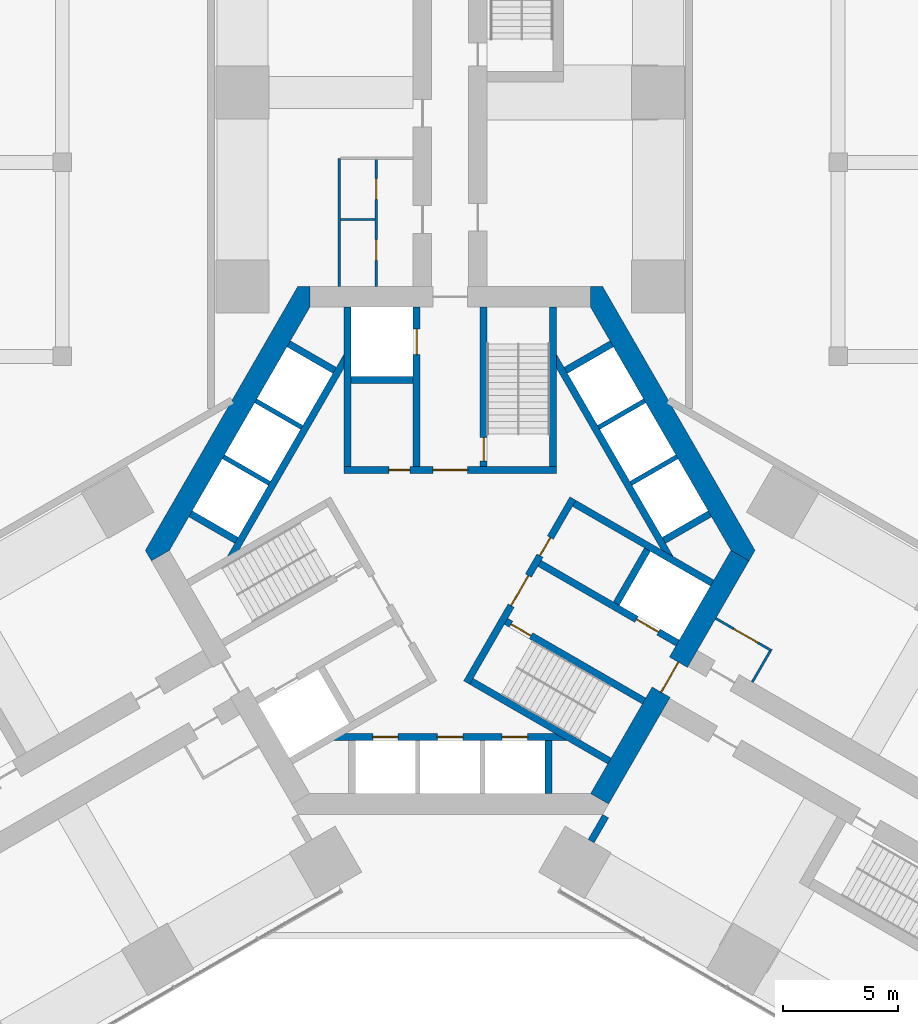
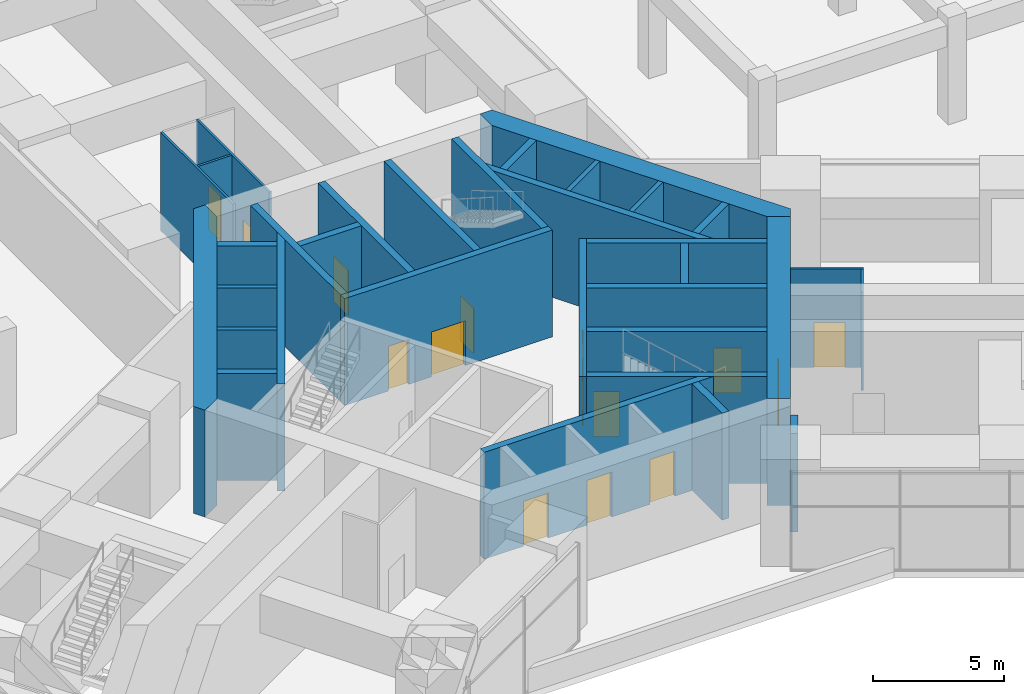
# One storey, part 28 of 33: 33 walls, 15 doors, 15 openings.
"""IFC4 building model written with IfcOpenShell, lengths in metres."""

from ifc_helpers import new_model, si_unit, direction, frame, frame_2d, origin, place, context, subcontext, project, spatial, polyline, rectangle, outline, extrude, material, layer, layer_set, type_object, element, fill, save


model = new_model("IFC4")

# Units and contexts
model_context = context("Model", 3, precision=1e-05, world=origin(), true_north=direction((0.0, 1.0)))
body_context = subcontext(model_context, "Body", "Model", "MODEL_VIEW")
ifc_project = project(units=[si_unit("LENGTHUNIT", "METRE"), si_unit("AREAUNIT", "SQUARE_METRE"), si_unit("VOLUMEUNIT", "CUBIC_METRE"), si_unit("PLANEANGLEUNIT", "RADIAN"), si_unit("MASSUNIT", "GRAM", prefix="KILO")], contexts=[model_context])

# Site, building, storey
site_placement = place(None, origin())
site = spatial("IfcSite", under=ifc_project, at=site_placement, CompositionType="ELEMENT")
building_placement = place(site_placement, origin())
building = spatial("IfcBuilding", under=site, at=building_placement, Name="Impinga Residences", CompositionType="ELEMENT")
storey_placement = place(building_placement, frame((0.0, 0.0, 21.0)))
storey = spatial("IfcBuildingStorey", under=building, at=storey_placement, Name="L04", CompositionType="ELEMENT", Elevation=21.0)

# Wall, opening, door
ifc_material_1 = material(Name="Concrete blockwork", Category="masonry")
ifc_layer_1 = layer(ifc_material_1, 0.10009765625)
ifc_layer_set_1 = layer_set([ifc_layer_1], Name="CP1 core room partition, blockwork 100")
wall_type_1 = type_object("IfcWallType", Name="CP1 core room partition, blockwork 100", PredefinedType="PARTITIONING", material=ifc_layer_set_1)
wall_1_placement = place(storey_placement, frame((11.5, -2.944580078125, 0.0), z_axis=(0.0, 0.0, 1.0), x_axis=(0.866034573852, -0.49998411664, 0.0)))
wall_1 = element("IfcWall", 1, at=wall_1_placement, inside=storey, type_object=wall_type_1, Name="Core room partition, blockwork L04-EA1:L1", PredefinedType="PARTITIONING", context=body_context, shape_type="SweptSolid", body=[
    extrude(rectangle(XDim=2.7998046875, YDim=0.10009765625, at=frame_2d((1.39990234375, 0.0))), origin(), (0.0, 0.0, 1.0), 4.60009765625),
])
opening_1_placement = place(wall_1_placement, frame((0.89990234375, 0.0, 0.0)))
opening_1 = element("IfcOpeningElement", 2, at=opening_1_placement, cuts=wall_1, Name="Opening D3", PredefinedType="OPENING", context=body_context, shape_type="SweptSolid", body=[
    extrude(rectangle(XDim=1.199951171875, YDim=2.10009765625, at=frame_2d((0.60009765625, 1.050048828125))), frame((0.0, 0.06005859375, 0.0), z_axis=(0.0, -1.0, 0.0), x_axis=(1.0, 0.0, 0.0)), (0.0, 0.0, 1.0), 0.1201171875),
])
ifc_material_2 = material(Name="Timber door set", Category="wood")
door_type_1 = type_object("IfcDoorType", Name="D3 room door, leaf and a half 1200x2100", OperationType="DOUBLE_SWING_LEFT", PredefinedType="DOOR", material=ifc_material_2)
door_1_placement = place(opening_1_placement, origin())
door_1 = element("IfcDoor", 3, at=door_1_placement, inside=storey, type_object=door_type_1, Name="Store door L04-EA1", OperationType="DOUBLE_SWING_LEFT", OverallHeight=2.10009765625, OverallWidth=1.199951171875, PredefinedType="DOOR", context=body_context, shape_type="SweptSolid", body=[
    extrude(rectangle(XDim=1.199951171875, YDim=2.10009765625, at=frame_2d((0.60009765625, 1.050048828125))), frame((0.0, 0.02490234375, 0.0), z_axis=(0.0, -1.0, 0.0), x_axis=(1.0, 0.0, 0.0)), (0.0, 0.0, 1.0), 0.050048828125),
])
fill(opening_1, door_1)

# Walls
wall_2_placement = place(storey_placement, frame((13.08154296875, -5.705078125, 0.0), z_axis=(0.0, 0.0, 1.0), x_axis=(0.500086022567, 0.865975732936, 0.0)))
element("IfcWall", 4, at=wall_2_placement, inside=storey, type_object=wall_type_1, Name="Core room partition, blockwork L04-EA1:L2", PredefinedType="PARTITIONING", context=body_context, shape_type="SweptSolid", body=[
    extrude(rectangle(XDim=1.550048828125, YDim=0.10009765625, at=frame_2d((0.77490234375, 0.0))), origin(), (0.0, 0.0, 1.0), 4.60009765625),
])
ifc_material_3 = material(Name="Stone facing on blockwork", Category="masonry")
ifc_layer_2 = layer(ifc_material_3, 0.300048828125)
ifc_layer_set_2 = layer_set([ifc_layer_2], Name="EW2 external wall, stone facing on blockwork 300")
wall_type_2 = type_object("IfcWallType", Name="EW2 external wall, stone facing on blockwork 300", PredefinedType="SOLIDWALL", material=ifc_layer_set_2)
wall_3_placement = place(storey_placement, frame((6.10498046875, -12.589111328125, 0.0), z_axis=(0.0, 0.0, 1.0), x_axis=(0.500004234368, 0.866022959057, 0.0)))
element("IfcWall", 5, at=wall_3_placement, inside=storey, type_object=wall_type_2, Name="External wall EW2 L04", PredefinedType="SOLIDWALL", context=body_context, shape_type="SweptSolid", body=[
    extrude(rectangle(XDim=1.25, YDim=0.300048828125, at=frame_2d((0.625, 0.0))), origin(), (0.0, 0.0, 1.0), 4.60009765625),
])

# Wall, openings, doors
ifc_material_4 = material(Name="Gypsum board on steel studs", Category="steel")
ifc_layer_3 = layer(ifc_material_4, 0.10009765625)
ifc_layer_set_3 = layer_set([ifc_layer_3], Name="Gypsum board on steel studs")
wall_type_3 = type_object("IfcWallType", Name="IP1 partition 100", PredefinedType="PARTITIONING", material=ifc_layer_set_3)
wall_4_placement = place(storey_placement, frame((-3.199951171875, 11.431640625, 0.0), z_axis=(0.0, 0.0, 1.0), x_axis=(0.0, 1.0, 0.0)))
wall_4 = element("IfcWall", 6, at=wall_4_placement, inside=storey, type_object=wall_type_3, Name="Partition L04-NA1:L1", PredefinedType="PARTITIONING", context=body_context, shape_type="SweptSolid", body=[
    extrude(rectangle(XDim=5.599853515625, YDim=0.10009765625, at=frame_2d((2.7998046875, 0.0))), origin(), (0.0, 0.0, 1.0), 4.60009765625),
])
opening_2_placement = place(wall_4_placement, frame((1.125, 0.0, 0.0)))
opening_2 = element("IfcOpeningElement", 7, at=opening_2_placement, cuts=wall_4, Name="Opening D2", PredefinedType="OPENING", context=body_context, shape_type="SweptSolid", body=[
    extrude(rectangle(XDim=0.89990234375, YDim=2.10009765625, at=frame_2d((0.449951171875, 1.050048828125))), frame((0.0, 0.06005859375, 0.0), z_axis=(0.0, -1.0, 0.0), x_axis=(1.0, 0.0, 0.0)), (0.0, 0.0, 1.0), 0.1201171875),
])
opening_3_placement = place(wall_4_placement, frame((3.77490234375, 0.0, 0.0)))
opening_3 = element("IfcOpeningElement", 8, at=opening_3_placement, cuts=wall_4, Name="Opening D2", PredefinedType="OPENING", context=body_context, shape_type="SweptSolid", body=[
    extrude(rectangle(XDim=0.89990234375, YDim=2.10009765625, at=frame_2d((0.449951171875, 1.050048828125))), frame((0.0, 0.06005859375, 0.0), z_axis=(0.0, -1.0, 0.0), x_axis=(1.0, 0.0, 0.0)), (0.0, 0.0, 1.0), 0.1201171875),
])
door_type_2 = type_object("IfcDoorType", Name="D2 internal door 900x2100", OperationType="SINGLE_SWING_LEFT", PredefinedType="DOOR", material=ifc_material_2)
door_2_placement = place(opening_2_placement, origin())
door_2 = element("IfcDoor", 9, at=door_2_placement, inside=storey, type_object=door_type_2, Name="WC door L04-NA1", OperationType="SINGLE_SWING_LEFT", OverallHeight=2.10009765625, OverallWidth=0.89990234375, PredefinedType="DOOR", context=body_context, shape_type="SweptSolid", body=[
    extrude(rectangle(XDim=0.89990234375, YDim=2.10009765625, at=frame_2d((0.449951171875, 1.050048828125))), frame((0.0, 0.02490234375, 0.0), z_axis=(0.0, -1.0, 0.0), x_axis=(1.0, 0.0, 0.0)), (0.0, 0.0, 1.0), 0.050048828125),
])
fill(opening_2, door_2)
door_3_placement = place(opening_3_placement, origin())
door_3 = element("IfcDoor", 10, at=door_3_placement, inside=storey, type_object=door_type_2, Name="Accessible WC door L04-NA1", OperationType="SINGLE_SWING_RIGHT", OverallHeight=2.10009765625, OverallWidth=0.89990234375, PredefinedType="DOOR", context=body_context, shape_type="SweptSolid", body=[
    extrude(rectangle(XDim=0.89990234375, YDim=2.10009765625, at=frame_2d((0.449951171875, 1.050048828125))), frame((0.0, 0.02490234375, 0.0), z_axis=(0.0, -1.0, 0.0), x_axis=(1.0, 0.0, 0.0)), (0.0, 0.0, 1.0), 0.050048828125),
])
fill(opening_3, door_3)

# Walls
wall_5_placement = place(storey_placement, frame((-3.25, 14.33154296875, 0.0), z_axis=(0.0, 0.0, 1.0), x_axis=(-1.0, 0.0, 0.0)))
element("IfcWall", 11, at=wall_5_placement, inside=storey, type_object=wall_type_3, Name="Partition L04-NA1:T1", PredefinedType="PARTITIONING", context=body_context, shape_type="SweptSolid", body=[
    extrude(rectangle(XDim=1.5, YDim=0.10009765625, at=frame_2d((0.75, 0.0))), origin(), (0.0, 0.0, 1.0), 4.60009765625),
])
wall_6_placement = place(storey_placement, frame((-4.800048828125, 11.431640625, 0.0), z_axis=(0.0, 0.0, 1.0), x_axis=(0.0, 1.0, 0.0)))
element("IfcWall", 12, at=wall_6_placement, inside=storey, type_object=wall_type_3, Name="Partition L04-NA1:T2", PredefinedType="PARTITIONING", context=body_context, shape_type="SweptSolid", body=[
    extrude(rectangle(XDim=5.5498046875, YDim=0.10009765625, at=frame_2d((2.77490234375, 0.0))), origin(), (0.0, 0.0, 1.0), 4.60009765625),
])

# Wall, opening, door
ifc_material_5 = material(Name="Concrete C70/85", Category="concrete")
ifc_layer_4 = layer(ifc_material_5, 0.89990234375)
ifc_layer_set_4 = layer_set([ifc_layer_4], Name="Concrete C70/85")
wall_type_4 = type_object("IfcWallType", Name="SW1 core wall 900", PredefinedType="SHEAR", material=ifc_layer_set_4)
wall_7_placement = place(storey_placement, frame((12.550537109375, -0.22509765625, 0.0), z_axis=(0.0, 0.0, 1.0), x_axis=(-0.499997612506, -0.8660267822, 0.0)))
wall_7 = element("IfcWall", 13, at=wall_7_placement, inside=storey, type_object=wall_type_4, Name="Core wall SW1 E:FACE L04", PredefinedType="SHEAR", context=body_context, shape_type="SweptSolid", body=[
    extrude(rectangle(XDim=12.16064453125, YDim=0.89990234375, at=frame_2d((6.080322265625, 0.0))), origin(), (0.0, 0.0, 1.0), 5.0),
])
opening_4_placement = place(wall_7_placement, frame((5.330322265625, 0.0, 0.0)))
opening_4 = element("IfcOpeningElement", 14, at=opening_4_placement, cuts=wall_7, Name="Opening D4", PredefinedType="OPENING", context=body_context, shape_type="SweptSolid", body=[
    extrude(rectangle(XDim=1.5, YDim=2.10009765625, at=frame_2d((0.75, 1.050048828125))), frame((0.0, 0.4599609375, 0.0), z_axis=(0.0, -1.0, 0.0), x_axis=(1.0, 0.0, 0.0)), (0.0, 0.0, 1.0), 0.919921875),
])
door_type_3 = type_object("IfcDoorType", Name="D4 lobby door pair 1500x2100", OperationType="DOUBLE_DOOR_DOUBLE_SWING", PredefinedType="DOOR", material=ifc_material_2)
door_4_placement = place(opening_4_placement, origin())
door_4 = element("IfcDoor", 15, at=door_4_placement, inside=storey, type_object=door_type_3, Name="Lobby door E", OperationType="DOUBLE_DOOR_DOUBLE_SWING", OverallHeight=2.10009765625, OverallWidth=1.5, PredefinedType="DOOR", context=body_context, shape_type="SweptSolid", body=[
    extrude(rectangle(XDim=1.5, YDim=2.10009765625, at=frame_2d((0.75, 1.050048828125))), frame((0.0, 0.02490234375, 0.0), z_axis=(0.0, -1.0, 0.0), x_axis=(1.0, 0.0, 0.0)), (0.0, 0.0, 1.0), 0.050048828125),
])
fill(opening_4, door_4)

# Walls
wall_8_placement = place(storey_placement, origin())
element("IfcWall", 16, at=wall_8_placement, inside=storey, type_object=wall_type_4, Name="Core wall SW1 W:EXPOSED L04", PredefinedType="SHEAR", context=body_context, shape_type="SweptSolid", body=[
    extrude(outline(polyline([(13.199951171875, 0.0), (6.60009765625, 11.431640625), (6.080322265625, 11.431640625), (6.080322265625, 10.531494140625), (12.160888671875, 0.0), (12.940185546875, -0.449951171875), (13.199951171875, 0.0)])), origin(), (0.0, 0.0, 1.0), 5.0),
])
wall_9_placement = place(storey_placement, origin())
element("IfcWall", 17, at=wall_9_placement, inside=storey, type_object=wall_type_4, Name="Core wall SW1 E:EXPOSED L04", PredefinedType="SHEAR", context=body_context, shape_type="SweptSolid", body=[
    extrude(outline(polyline([(-6.60009765625, 11.431640625), (-13.199951171875, 0.0), (-12.940185546875, -0.449951171875), (-12.160888671875, 0.0), (-6.080322265625, 10.531494140625), (-6.080322265625, 11.431640625), (-6.60009765625, 11.431640625)])), origin(), (0.0, 0.0, 1.0), 5.0),
])

# Wall, openings, doors
ifc_layer_5 = layer(ifc_material_5, 0.300048828125)
ifc_layer_set_5 = layer_set([ifc_layer_5], Name="Concrete C70/85")
wall_type_5 = type_object("IfcWallType", Name="SW5 core inner wall, stairs, shafts and lobbies 300", PredefinedType="SHEAR", material=ifc_layer_set_5)
wall_10_placement = place(storey_placement, frame((-4.60009765625, 3.47998046875, 0.0), z_axis=(0.0, 0.0, 1.0), x_axis=(1.0, 0.0, 0.0)))
wall_10 = element("IfcWall", 18, at=wall_10_placement, inside=storey, type_object=wall_type_5, Name="Core wall SW5 N:ZONE L04", PredefinedType="SHEAR", context=body_context, shape_type="SweptSolid", body=[
    extrude(rectangle(XDim=9.2001953125, YDim=0.300048828125, at=frame_2d((4.60009765625, 0.0))), origin(), (0.0, 0.0, 1.0), 5.0),
])
opening_5_placement = place(wall_10_placement, frame((3.85009765625, 0.0, 0.0)))
opening_5 = element("IfcOpeningElement", 19, at=opening_5_placement, cuts=wall_10, Name="Opening D4", PredefinedType="OPENING", context=body_context, shape_type="SweptSolid", body=[
    extrude(rectangle(XDim=1.5, YDim=2.10009765625, at=frame_2d((0.75, 1.050048828125))), frame((0.0, 0.159912109375, 0.0), z_axis=(0.0, -1.0, 0.0), x_axis=(1.0, 0.0, 0.0)), (0.0, 0.0, 1.0), 0.320068359375),
])
opening_6_placement = place(wall_10_placement, frame((1.949951171875, 0.0, 0.0)))
opening_6 = element("IfcOpeningElement", 20, at=opening_6_placement, cuts=wall_10, Name="Opening D6", PredefinedType="OPENING", context=body_context, shape_type="SweptSolid", body=[
    extrude(rectangle(XDim=0.89990234375, YDim=2.10009765625, at=frame_2d((0.449951171875, 1.050048828125))), frame((0.0, 0.159912109375, 0.0), z_axis=(0.0, -1.0, 0.0), x_axis=(1.0, 0.0, 0.0)), (0.0, 0.0, 1.0), 0.320068359375),
])
door_5_placement = place(opening_5_placement, origin())
door_5 = element("IfcDoor", 21, at=door_5_placement, inside=storey, type_object=door_type_3, Name="Firefighting lobby door N", OperationType="DOUBLE_DOOR_DOUBLE_SWING", OverallHeight=2.10009765625, OverallWidth=1.5, PredefinedType="DOOR", context=body_context, shape_type="SweptSolid", body=[
    extrude(rectangle(XDim=1.5, YDim=2.10009765625, at=frame_2d((0.75, 1.050048828125))), frame((0.0, 0.02490234375, 0.0), z_axis=(0.0, -1.0, 0.0), x_axis=(1.0, 0.0, 0.0)), (0.0, 0.0, 1.0), 0.050048828125),
])
fill(opening_5, door_5)
door_type_4 = type_object("IfcDoorType", Name="D6 riser and store door 900x2100", OperationType="SINGLE_SWING_LEFT", PredefinedType="DOOR", material=ifc_material_2)
door_6_placement = place(opening_6_placement, origin())
door_6 = element("IfcDoor", 22, at=door_6_placement, inside=storey, type_object=door_type_4, Name="Riser door N", OperationType="SINGLE_SWING_LEFT", OverallHeight=2.10009765625, OverallWidth=0.89990234375, PredefinedType="DOOR", context=body_context, shape_type="SweptSolid", body=[
    extrude(rectangle(XDim=0.89990234375, YDim=2.10009765625, at=frame_2d((0.449951171875, 1.050048828125))), frame((0.0, 0.02490234375, 0.0), z_axis=(0.0, -1.0, 0.0), x_axis=(1.0, 0.0, 0.0)), (0.0, 0.0, 1.0), 0.050048828125),
])
fill(opening_6, door_6)

# Wall, opening, door
wall_11_placement = place(storey_placement, frame((1.449951171875, 3.6298828125, 0.0), z_axis=(0.0, 0.0, 1.0), x_axis=(0.0, 1.0, 0.0)))
wall_11 = element("IfcWall", 23, at=wall_11_placement, inside=storey, type_object=wall_type_5, Name="Core wall SW5 N:ST-IN L04", PredefinedType="SHEAR", context=body_context, shape_type="SweptSolid", body=[
    extrude(rectangle(XDim=6.901611328125, YDim=0.300048828125, at=frame_2d((3.45068359375, 0.0))), origin(), (0.0, 0.0, 1.0), 5.0),
])
opening_7_placement = place(wall_11_placement, frame((0.25, 0.0, 0.0)))
opening_7 = element("IfcOpeningElement", 24, at=opening_7_placement, cuts=wall_11, Name="Opening D5", PredefinedType="OPENING", context=body_context, shape_type="SweptSolid", body=[
    extrude(rectangle(XDim=1.0, YDim=2.10009765625, at=frame_2d((0.5, 1.050048828125))), frame((0.0, 0.159912109375, 0.0), z_axis=(0.0, -1.0, 0.0), x_axis=(1.0, 0.0, 0.0)), (0.0, 0.0, 1.0), 0.320068359375),
])
door_type_5 = type_object("IfcDoorType", Name="D5 stair door 1000x2100", OperationType="SINGLE_SWING_LEFT", PredefinedType="DOOR", material=ifc_material_2)
door_7_placement = place(opening_7_placement, origin())
door_7 = element("IfcDoor", 25, at=door_7_placement, inside=storey, type_object=door_type_5, Name="Stair door N", OperationType="SINGLE_SWING_LEFT", OverallHeight=2.10009765625, OverallWidth=1.0, PredefinedType="DOOR", context=body_context, shape_type="SweptSolid", body=[
    extrude(rectangle(XDim=1.0, YDim=2.10009765625, at=frame_2d((0.5, 1.050048828125))), frame((0.0, 0.02490234375, 0.0), z_axis=(0.0, -1.0, 0.0), x_axis=(1.0, 0.0, 0.0)), (0.0, 0.0, 1.0), 0.050048828125),
])
fill(opening_7, door_7)

# Wall
wall_12_placement = place(storey_placement, frame((4.449951171875, 3.6298828125, 0.0), z_axis=(0.0, 0.0, 1.0), x_axis=(0.0, 1.0, 0.0)))
element("IfcWall", 26, at=wall_12_placement, inside=storey, type_object=wall_type_5, Name="Core wall SW5 N:ST-OUT L04", PredefinedType="SHEAR", context=body_context, shape_type="SweptSolid", body=[
    extrude(rectangle(XDim=6.901611328125, YDim=0.300048828125, at=frame_2d((3.45068359375, 0.0))), origin(), (0.0, 0.0, 1.0), 5.0),
])

# Wall, opening, door
wall_13_placement = place(storey_placement, frame((-1.449951171875, 3.6298828125, 0.0), z_axis=(0.0, 0.0, 1.0), x_axis=(0.0, 1.0, 0.0)))
wall_13 = element("IfcWall", 27, at=wall_13_placement, inside=storey, type_object=wall_type_5, Name="Core wall SW5 N:FF-IN L04", PredefinedType="SHEAR", context=body_context, shape_type="SweptSolid", body=[
    extrude(rectangle(XDim=6.901611328125, YDim=0.300048828125, at=frame_2d((3.45068359375, 0.0))), origin(), (0.0, 0.0, 1.0), 5.0),
])
opening_8_placement = place(wall_13_placement, frame((4.85009765625, 0.0, 0.0)))
opening_8 = element("IfcOpeningElement", 28, at=opening_8_placement, cuts=wall_13, Name="Opening LD2", PredefinedType="OPENING", context=body_context, shape_type="SweptSolid", body=[
    extrude(rectangle(XDim=1.10009765625, YDim=2.10009765625, at=frame_2d((0.550048828125, 1.050048828125))), frame((0.0, 0.159912109375, 0.0), z_axis=(0.0, -1.0, 0.0), x_axis=(1.0, 0.0, 0.0)), (0.0, 0.0, 1.0), 0.320068359375),
])
ifc_material_6 = material(Name="Steel lift landing door", Category="steel")
door_type_6 = type_object("IfcDoorType", Name="LD2 firefighting lift landing door 1100x2100", OperationType="DOUBLE_DOOR_SLIDING", PredefinedType="DOOR", material=ifc_material_6)
door_8_placement = place(opening_8_placement, origin())
door_8 = element("IfcDoor", 29, at=door_8_placement, inside=storey, type_object=door_type_6, Name="Firefighting lift landing door F1", OperationType="DOUBLE_DOOR_SLIDING", OverallHeight=2.10009765625, OverallWidth=1.10009765625, PredefinedType="DOOR", context=body_context, shape_type="SweptSolid", body=[
    extrude(rectangle(XDim=1.10009765625, YDim=2.10009765625, at=frame_2d((0.550048828125, 1.050048828125))), frame((0.0, 0.02490234375, 0.0), z_axis=(0.0, -1.0, 0.0), x_axis=(1.0, 0.0, 0.0)), (0.0, 0.0, 1.0), 0.050048828125),
])
fill(opening_8, door_8)

# Walls
wall_14_placement = place(storey_placement, frame((-4.449951171875, 3.6298828125, 0.0), z_axis=(0.0, 0.0, 1.0), x_axis=(0.0, 1.0, 0.0)))
element("IfcWall", 30, at=wall_14_placement, inside=storey, type_object=wall_type_5, Name="Core wall SW5 N:FF-OUT L04", PredefinedType="SHEAR", context=body_context, shape_type="SweptSolid", body=[
    extrude(rectangle(XDim=6.901611328125, YDim=0.300048828125, at=frame_2d((3.45068359375, 0.0))), origin(), (0.0, 0.0, 1.0), 5.0),
])
wall_15_placement = place(storey_placement, frame((-4.300048828125, 7.3798828125, 0.0), z_axis=(0.0, 0.0, 1.0), x_axis=(1.0, 0.0, 0.0)))
element("IfcWall", 31, at=wall_15_placement, inside=storey, type_object=wall_type_5, Name="Core wall SW5 N:FF-RS L04", PredefinedType="SHEAR", context=body_context, shape_type="SweptSolid", body=[
    extrude(rectangle(XDim=2.699951171875, YDim=0.300048828125, at=frame_2d((1.35009765625, 0.0))), origin(), (0.0, 0.0, 1.0), 5.0),
])

# Wall, openings, doors
wall_16_placement = place(storey_placement, frame((5.313720703125, 2.24365234375, 0.0), z_axis=(0.0, 0.0, 1.0), x_axis=(-0.499995050369, -0.866028261437, 0.0)))
wall_16 = element("IfcWall", 32, at=wall_16_placement, inside=storey, type_object=wall_type_5, Name="Core wall SW5 E:ZONE L04", PredefinedType="SHEAR", context=body_context, shape_type="SweptSolid", body=[
    extrude(rectangle(XDim=9.19970703125, YDim=0.300048828125, at=frame_2d((4.599853515625, 0.0))), origin(), (0.0, 0.0, 1.0), 5.0),
])
opening_9_placement = place(wall_16_placement, frame((3.85009765625, 0.0, 0.0)))
opening_9 = element("IfcOpeningElement", 33, at=opening_9_placement, cuts=wall_16, Name="Opening D4", PredefinedType="OPENING", context=body_context, shape_type="SweptSolid", body=[
    extrude(rectangle(XDim=1.5, YDim=2.10009765625, at=frame_2d((0.75, 1.050048828125))), frame((0.0, 0.159912109375, 0.0), z_axis=(0.0, -1.0, 0.0), x_axis=(1.0, 0.0, 0.0)), (0.0, 0.0, 1.0), 0.320068359375),
])
opening_10_placement = place(wall_16_placement, frame((1.949951171875, 0.0, 0.0)))
opening_10 = element("IfcOpeningElement", 34, at=opening_10_placement, cuts=wall_16, Name="Opening D6", PredefinedType="OPENING", context=body_context, shape_type="SweptSolid", body=[
    extrude(rectangle(XDim=0.89990234375, YDim=2.10009765625, at=frame_2d((0.449951171875, 1.050048828125))), frame((0.0, 0.159912109375, 0.0), z_axis=(0.0, -1.0, 0.0), x_axis=(1.0, 0.0, 0.0)), (0.0, 0.0, 1.0), 0.320068359375),
])
door_9_placement = place(opening_9_placement, origin())
door_9 = element("IfcDoor", 35, at=door_9_placement, inside=storey, type_object=door_type_3, Name="Firefighting lobby door E", OperationType="DOUBLE_DOOR_DOUBLE_SWING", OverallHeight=2.10009765625, OverallWidth=1.5, PredefinedType="DOOR", context=body_context, shape_type="SweptSolid", body=[
    extrude(rectangle(XDim=1.5, YDim=2.10009765625, at=frame_2d((0.75, 1.050048828125))), frame((0.0, 0.02490234375, 0.0), z_axis=(0.0, -1.0, 0.0), x_axis=(1.0, 0.0, 0.0)), (0.0, 0.0, 1.0), 0.050048828125),
])
fill(opening_9, door_9)
door_10_placement = place(opening_10_placement, origin())
door_10 = element("IfcDoor", 36, at=door_10_placement, inside=storey, type_object=door_type_4, Name="Riser door E", OperationType="SINGLE_SWING_LEFT", OverallHeight=2.10009765625, OverallWidth=0.89990234375, PredefinedType="DOOR", context=body_context, shape_type="SweptSolid", body=[
    extrude(rectangle(XDim=0.89990234375, YDim=2.10009765625, at=frame_2d((0.449951171875, 1.050048828125))), frame((0.0, 0.02490234375, 0.0), z_axis=(0.0, -1.0, 0.0), x_axis=(1.0, 0.0, 0.0)), (0.0, 0.0, 1.0), 0.050048828125),
])
fill(opening_10, door_10)

# Wall, opening, door
wall_17_placement = place(storey_placement, frame((2.418701171875, -3.07080078125, 0.0), z_axis=(0.0, 0.0, 1.0), x_axis=(0.86602711848, -0.499997030048, 0.0)))
wall_17 = element("IfcWall", 37, at=wall_17_placement, inside=storey, type_object=wall_type_5, Name="Core wall SW5 E:ST-IN L04", PredefinedType="SHEAR", context=body_context, shape_type="SweptSolid", body=[
    extrude(rectangle(XDim=6.9013671875, YDim=0.300048828125, at=frame_2d((3.45068359375, 0.0))), origin(), (0.0, 0.0, 1.0), 5.0),
])
opening_11_placement = place(wall_17_placement, frame((0.25, 0.0, 0.0)))
opening_11 = element("IfcOpeningElement", 38, at=opening_11_placement, cuts=wall_17, Name="Opening D5", PredefinedType="OPENING", context=body_context, shape_type="SweptSolid", body=[
    extrude(rectangle(XDim=1.0, YDim=2.10009765625, at=frame_2d((0.5, 1.050048828125))), frame((0.0, 0.159912109375, 0.0), z_axis=(0.0, -1.0, 0.0), x_axis=(1.0, 0.0, 0.0)), (0.0, 0.0, 1.0), 0.320068359375),
])
door_11_placement = place(opening_11_placement, origin())
door_11 = element("IfcDoor", 39, at=door_11_placement, inside=storey, type_object=door_type_5, Name="Stair door E", OperationType="SINGLE_SWING_LEFT", OverallHeight=2.10009765625, OverallWidth=1.0, PredefinedType="DOOR", context=body_context, shape_type="SweptSolid", body=[
    extrude(rectangle(XDim=1.0, YDim=2.10009765625, at=frame_2d((0.5, 1.050048828125))), frame((0.0, 0.02490234375, 0.0), z_axis=(0.0, -1.0, 0.0), x_axis=(1.0, 0.0, 0.0)), (0.0, 0.0, 1.0), 0.050048828125),
])
fill(opening_11, door_11)

# Wall
wall_18_placement = place(storey_placement, frame((0.918701171875, -5.668701171875, 0.0), z_axis=(0.0, 0.0, 1.0), x_axis=(0.866011800373, -0.500023561059, 0.0)))
element("IfcWall", 40, at=wall_18_placement, inside=storey, type_object=wall_type_5, Name="Core wall SW5 E:ST-OUT L04", PredefinedType="SHEAR", context=body_context, shape_type="SweptSolid", body=[
    extrude(rectangle(XDim=6.901611328125, YDim=0.300048828125, at=frame_2d((3.45068359375, 0.0))), origin(), (0.0, 0.0, 1.0), 5.0),
])

# Wall, opening, door
wall_19_placement = place(storey_placement, frame((3.86865234375, -0.559326171875, 0.0), z_axis=(0.0, 0.0, 1.0), x_axis=(0.86602711848, -0.499997030048, 0.0)))
wall_19 = element("IfcWall", 41, at=wall_19_placement, inside=storey, type_object=wall_type_5, Name="Core wall SW5 E:FF-IN L04", PredefinedType="SHEAR", context=body_context, shape_type="SweptSolid", body=[
    extrude(rectangle(XDim=6.9013671875, YDim=0.300048828125, at=frame_2d((3.45068359375, 0.0))), origin(), (0.0, 0.0, 1.0), 5.0),
])
opening_12_placement = place(wall_19_placement, frame((4.85009765625, 0.0, 0.0)))
opening_12 = element("IfcOpeningElement", 42, at=opening_12_placement, cuts=wall_19, Name="Opening LD2", PredefinedType="OPENING", context=body_context, shape_type="SweptSolid", body=[
    extrude(rectangle(XDim=1.10009765625, YDim=2.10009765625, at=frame_2d((0.550048828125, 1.050048828125))), frame((0.0, 0.159912109375, 0.0), z_axis=(0.0, -1.0, 0.0), x_axis=(1.0, 0.0, 0.0)), (0.0, 0.0, 1.0), 0.320068359375),
])
door_12_placement = place(opening_12_placement, origin())
door_12 = element("IfcDoor", 43, at=door_12_placement, inside=storey, type_object=door_type_6, Name="Firefighting lift landing door F3", OperationType="DOUBLE_DOOR_SLIDING", OverallHeight=2.10009765625, OverallWidth=1.10009765625, PredefinedType="DOOR", context=body_context, shape_type="SweptSolid", body=[
    extrude(rectangle(XDim=1.10009765625, YDim=2.10009765625, at=frame_2d((0.550048828125, 1.050048828125))), frame((0.0, 0.02490234375, 0.0), z_axis=(0.0, -1.0, 0.0), x_axis=(1.0, 0.0, 0.0)), (0.0, 0.0, 1.0), 0.050048828125),
])
fill(opening_12, door_12)

# Walls
wall_20_placement = place(storey_placement, frame((5.36865234375, 2.038818359375, 0.0), z_axis=(0.0, 0.0, 1.0), x_axis=(0.86602711848, -0.499997030048, 0.0)))
element("IfcWall", 44, at=wall_20_placement, inside=storey, type_object=wall_type_5, Name="Core wall SW5 E:FF-OUT L04", PredefinedType="SHEAR", context=body_context, shape_type="SweptSolid", body=[
    extrude(rectangle(XDim=6.9013671875, YDim=0.300048828125, at=frame_2d((3.45068359375, 0.0))), origin(), (0.0, 0.0, 1.0), 5.0),
])
wall_21_placement = place(storey_placement, frame((8.541259765625, 0.033935546875, 0.0), z_axis=(0.0, 0.0, 1.0), x_axis=(-0.50000943426, -0.866019956843, 0.0)))
element("IfcWall", 45, at=wall_21_placement, inside=storey, type_object=wall_type_5, Name="Core wall SW5 E:FF-RS L04", PredefinedType="SHEAR", context=body_context, shape_type="SweptSolid", body=[
    extrude(rectangle(XDim=2.7001953125, YDim=0.300048828125, at=frame_2d((1.35009765625, 0.0))), origin(), (0.0, 0.0, 1.0), 5.0),
])

# Wall, openings, doors
wall_22_placement = place(storey_placement, frame((5.09765625, -8.08154296875, 0.0), z_axis=(0.0, 0.0, 1.0), x_axis=(-1.0, 0.0, 0.0)))
wall_22 = element("IfcWall", 46, at=wall_22_placement, inside=storey, type_object=wall_type_5, Name="Core wall SW5 N:BANK-FRONT L04", PredefinedType="SHEAR", context=body_context, shape_type="SweptSolid", body=[
    extrude(rectangle(XDim=10.1953125, YDim=0.300048828125, at=frame_2d((5.09765625, 0.0))), origin(), (0.0, 0.0, 1.0), 5.0),
])
opening_13_placement = place(wall_22_placement, frame((1.74755859375, 0.0, 0.0)))
opening_13 = element("IfcOpeningElement", 47, at=opening_13_placement, cuts=wall_22, Name="Opening LD1", PredefinedType="OPENING", context=body_context, shape_type="SweptSolid", body=[
    extrude(rectangle(XDim=1.10009765625, YDim=2.10009765625, at=frame_2d((0.550048828125, 1.050048828125))), frame((0.0, 0.159912109375, 0.0), z_axis=(0.0, -1.0, 0.0), x_axis=(1.0, 0.0, 0.0)), (0.0, 0.0, 1.0), 0.320068359375),
])
opening_14_placement = place(wall_22_placement, frame((4.547607421875, 0.0, 0.0)))
opening_14 = element("IfcOpeningElement", 48, at=opening_14_placement, cuts=wall_22, Name="Opening LD1", PredefinedType="OPENING", context=body_context, shape_type="SweptSolid", body=[
    extrude(rectangle(XDim=1.10009765625, YDim=2.10009765625, at=frame_2d((0.550048828125, 1.050048828125))), frame((0.0, 0.159912109375, 0.0), z_axis=(0.0, -1.0, 0.0), x_axis=(1.0, 0.0, 0.0)), (0.0, 0.0, 1.0), 0.320068359375),
])
opening_15_placement = place(wall_22_placement, frame((7.34765625, 0.0, 0.0)))
opening_15 = element("IfcOpeningElement", 49, at=opening_15_placement, cuts=wall_22, Name="Opening LD1", PredefinedType="OPENING", context=body_context, shape_type="SweptSolid", body=[
    extrude(rectangle(XDim=1.10009765625, YDim=2.10009765625, at=frame_2d((0.550048828125, 1.050048828125))), frame((0.0, 0.159912109375, 0.0), z_axis=(0.0, -1.0, 0.0), x_axis=(1.0, 0.0, 0.0)), (0.0, 0.0, 1.0), 0.320068359375),
])
door_type_7 = type_object("IfcDoorType", Name="LD1 passenger lift landing door 1100x2100", OperationType="DOUBLE_DOOR_SLIDING", PredefinedType="DOOR", material=ifc_material_6)
door_13_placement = place(opening_13_placement, origin())
door_13 = element("IfcDoor", 50, at=door_13_placement, inside=storey, type_object=door_type_7, Name="Lift landing door P1", OperationType="DOUBLE_DOOR_SLIDING", OverallHeight=2.10009765625, OverallWidth=1.10009765625, PredefinedType="DOOR", context=body_context, shape_type="SweptSolid", body=[
    extrude(rectangle(XDim=1.10009765625, YDim=2.10009765625, at=frame_2d((0.550048828125, 1.050048828125))), frame((0.0, 0.02490234375, 0.0), z_axis=(0.0, -1.0, 0.0), x_axis=(1.0, 0.0, 0.0)), (0.0, 0.0, 1.0), 0.050048828125),
])
fill(opening_13, door_13)
door_14_placement = place(opening_14_placement, origin())
door_14 = element("IfcDoor", 51, at=door_14_placement, inside=storey, type_object=door_type_7, Name="Lift landing door P2", OperationType="DOUBLE_DOOR_SLIDING", OverallHeight=2.10009765625, OverallWidth=1.10009765625, PredefinedType="DOOR", context=body_context, shape_type="SweptSolid", body=[
    extrude(rectangle(XDim=1.10009765625, YDim=2.10009765625, at=frame_2d((0.550048828125, 1.050048828125))), frame((0.0, 0.02490234375, 0.0), z_axis=(0.0, -1.0, 0.0), x_axis=(1.0, 0.0, 0.0)), (0.0, 0.0, 1.0), 0.050048828125),
])
fill(opening_14, door_14)
door_15_placement = place(opening_15_placement, origin())
door_15 = element("IfcDoor", 52, at=door_15_placement, inside=storey, type_object=door_type_7, Name="Lift landing door P3", OperationType="DOUBLE_DOOR_SLIDING", OverallHeight=2.10009765625, OverallWidth=1.10009765625, PredefinedType="DOOR", context=body_context, shape_type="SweptSolid", body=[
    extrude(rectangle(XDim=1.10009765625, YDim=2.10009765625, at=frame_2d((0.550048828125, 1.050048828125))), frame((0.0, 0.02490234375, 0.0), z_axis=(0.0, -1.0, 0.0), x_axis=(1.0, 0.0, 0.0)), (0.0, 0.0, 1.0), 0.050048828125),
])
fill(opening_15, door_15)

# Walls
wall_23_placement = place(storey_placement, frame((4.25, -8.2314453125, 0.0), z_axis=(0.0, 0.0, 1.0), x_axis=(0.0, -1.0, 0.0)))
element("IfcWall", 53, at=wall_23_placement, inside=storey, type_object=wall_type_5, Name="Core wall SW5 N:BANK-L L04", PredefinedType="SHEAR", context=body_context, shape_type="SweptSolid", body=[
    extrude(rectangle(XDim=2.300048828125, YDim=0.300048828125, at=frame_2d((1.14990234375, 0.0))), origin(), (0.0, 0.0, 1.0), 5.0),
])
wall_24_placement = place(storey_placement, frame((4.449951171875, 8.455322265625, 0.0), z_axis=(0.0, 0.0, 1.0), x_axis=(0.500002290144, -0.866024081565, 0.0)))
element("IfcWall", 54, at=wall_24_placement, inside=storey, type_object=wall_type_5, Name="Core wall SW5 W:BANK-FRONT L04", PredefinedType="SHEAR", context=body_context, shape_type="SweptSolid", body=[
    extrude(rectangle(XDim=10.1953125, YDim=0.300048828125, at=frame_2d((5.09765625, 0.0))), origin(), (0.0, 0.0, 1.0), 5.0),
])
for number, where, z_axis, x_axis, name in (
    (55, (5.003662109375, 7.79638671875, 0.0), (0.0, 0.0, 1.0), (0.866053019151, 0.499952165731, 0.0), "Core wall SW5 W:BANK-L L04"),
    (56, (9.253662109375, 0.43505859375, 0.0), (0.0, 0.0, 1.0), (0.866007057882, 0.500031774688, 0.0), "Core wall SW5 W:BANK-R L04"),
):
    element("IfcWall", number, at=place(storey_placement, frame(where, z_axis=z_axis, x_axis=x_axis)), inside=storey, type_object=wall_type_5, Name=name, PredefinedType="SHEAR", context=body_context, shape_type="SweptSolid", body=[
        extrude(rectangle(XDim=2.300048828125, YDim=0.300048828125, at=frame_2d((1.14990234375, 0.0))), origin(), (0.0, 0.0, 1.0), 5.0),
    ])
wall_25_placement = place(storey_placement, frame((-9.547607421875, -0.3740234375, 0.0), z_axis=(0.0, 0.0, 1.0), x_axis=(0.500002290144, 0.866024081565, 0.0)))
element("IfcWall", 57, at=wall_25_placement, inside=storey, type_object=wall_type_5, Name="Core wall SW5 E:BANK-FRONT L04", PredefinedType="SHEAR", context=body_context, shape_type="SweptSolid", body=[
    extrude(rectangle(XDim=10.1953125, YDim=0.300048828125, at=frame_2d((5.09765625, 0.0))), origin(), (0.0, 0.0, 1.0), 5.0),
])
for number, where, z_axis, x_axis, name in (
    (58, (-9.253662109375, 0.43505859375, 0.0), (0.0, 0.0, 1.0), (-0.866007057882, 0.500031774688, 0.0), "Core wall SW5 E:BANK-L L04"),
    (59, (-5.003662109375, 7.79638671875, 0.0), (0.0, 0.0, 1.0), (-0.866053019151, 0.499952165731, 0.0), "Core wall SW5 E:BANK-R L04"),
):
    element("IfcWall", number, at=place(storey_placement, frame(where, z_axis=z_axis, x_axis=x_axis)), inside=storey, type_object=wall_type_5, Name=name, PredefinedType="SHEAR", context=body_context, shape_type="SweptSolid", body=[
        extrude(rectangle(XDim=2.300048828125, YDim=0.300048828125, at=frame_2d((1.14990234375, 0.0))), origin(), (0.0, 0.0, 1.0), 5.0),
    ])
ifc_layer_6 = layer(ifc_material_5, 0.199951171875)
ifc_layer_set_6 = layer_set([ifc_layer_6], Name="Concrete C70/85")
wall_type_6 = type_object("IfcWallType", Name="SW6 lift shaft divider wall 200", PredefinedType="SHEAR", material=ifc_layer_set_6)
for number, where, z_axis, x_axis, name in (
    (60, (6.4287109375, 5.328125, 0.0), (0.0, 0.0, 1.0), (0.866007057882, 0.500031774688, 0.0), "Core wall SW6 W:BANK-D1 L04"),
    (61, (7.82861328125, 2.9033203125, 0.0), (0.0, 0.0, 1.0), (0.866053019151, 0.499952165731, 0.0), "Core wall SW6 W:BANK-D2 L04"),
    (62, (-7.82861328125, 2.9033203125, 0.0), (0.0, 0.0, 1.0), (-0.866053019151, 0.499952165731, 0.0), "Core wall SW6 E:BANK-D1 L04"),
    (63, (-6.4287109375, 5.328125, 0.0), (0.0, 0.0, 1.0), (-0.866007057882, 0.500031774688, 0.0), "Core wall SW6 E:BANK-D2 L04"),
):
    element("IfcWall", number, at=place(storey_placement, frame(where, z_axis=z_axis, x_axis=x_axis)), inside=storey, type_object=wall_type_6, Name=name, PredefinedType="SHEAR", context=body_context, shape_type="SweptSolid", body=[
        extrude(rectangle(XDim=2.300048828125, YDim=0.199951171875, at=frame_2d((1.14990234375, 0.0))), origin(), (0.0, 0.0, 1.0), 5.0),
    ])

save(model, "model.ifc")
